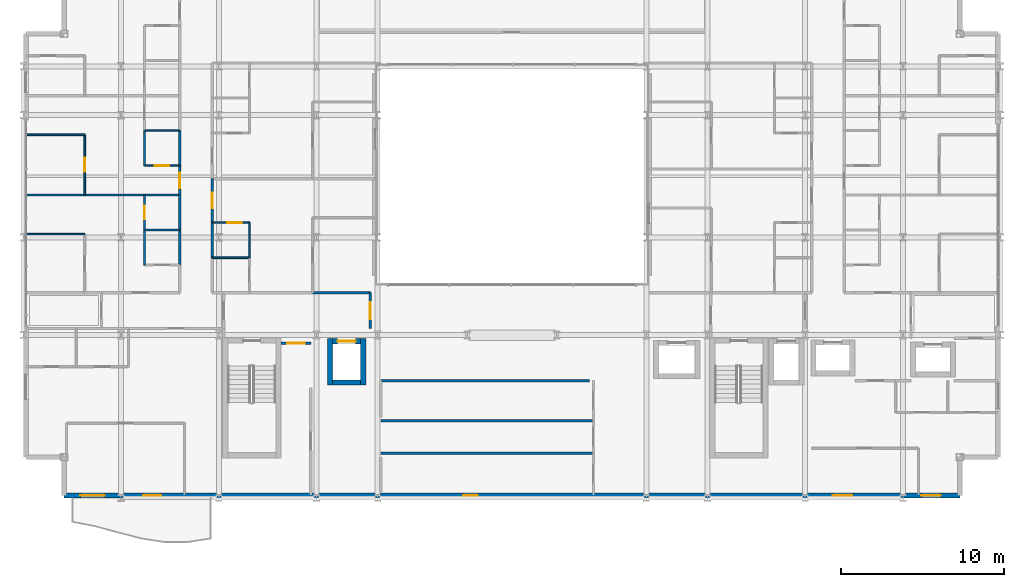
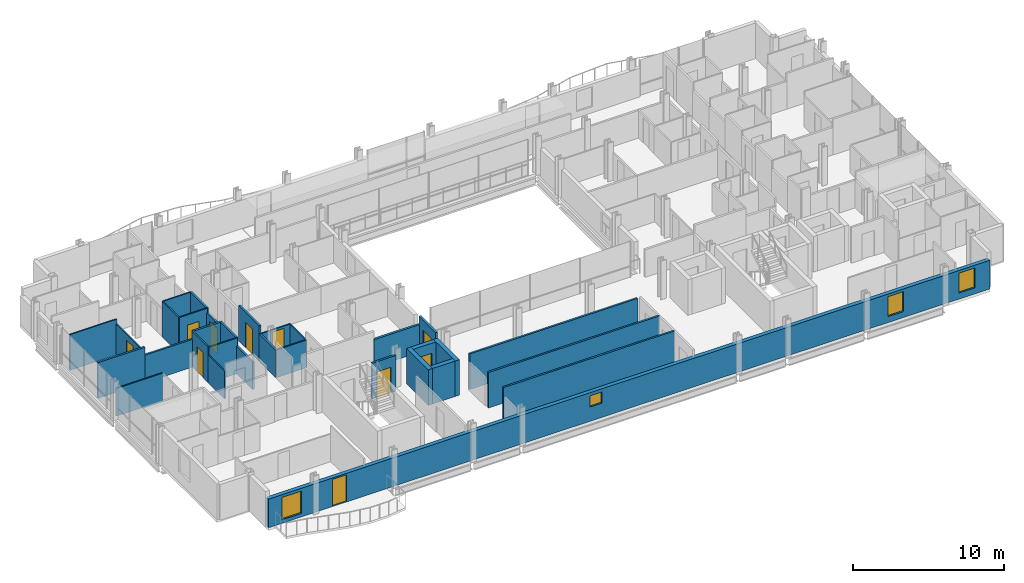
# One storey, part 32 of 40: 32 walls, 10 doors, 4 windows, 14 openings.
"""IFC4 building model written with IfcOpenShell, lengths in metres."""

from ifc_helpers import new_model, si_unit, direction, frame, frame_2d, origin, place, context, subcontext, project, spatial, rectangle, extrude, material, layer, layer_set, type_object, element, fill, save


model = new_model("IFC4")

# Units and contexts
model_context = context("Model", 3, precision=1e-05, world=origin(), true_north=direction((0.0, 1.0)))
body_context = subcontext(model_context, "Body", "Model", "MODEL_VIEW")
ifc_project = project(units=[si_unit("LENGTHUNIT", "METRE"), si_unit("AREAUNIT", "SQUARE_METRE"), si_unit("VOLUMEUNIT", "CUBIC_METRE"), si_unit("PLANEANGLEUNIT", "RADIAN"), si_unit("MASSUNIT", "GRAM", prefix="KILO")], contexts=[model_context])

# Site, building, storey
site_placement = place(None, origin())
site = spatial("IfcSite", under=ifc_project, at=site_placement, CompositionType="ELEMENT")
building_placement = place(site_placement, origin())
building = spatial("IfcBuilding", under=site, at=building_placement, Name="Brevholm Reach", CompositionType="ELEMENT")
storey_placement = place(building_placement, frame((0.0, 0.0, 37.300048828125)))
storey = spatial("IfcBuildingStorey", under=building, at=storey_placement, Name="L09", CompositionType="ELEMENT", Elevation=37.300048828125)

# Walls
ifc_material_1 = material(Name="Concrete C60/75", Category="concrete")
ifc_layer_1 = layer(ifc_material_1, 0.320068359375)
ifc_layer_set_1 = layer_set([ifc_layer_1], Name="Concrete C60/75")
wall_type_1 = type_object("IfcWallType", Name="WAL-COR-320", PredefinedType="SHEAR", material=ifc_layer_set_1)
for number, where, z_axis, x_axis, name in (
    (1, (18.830078125, 6.919921875, 0.0), (0.0, 0.0, 1.0), (0.0, 1.0, 0.0), "L09 Lift FFL-1 Shaft Wall W"),
    (2, (20.8701171875, 6.919921875, 0.0), (0.0, 0.0, 1.0), (0.0, 1.0, 0.0), "L09 Lift FFL-1 Shaft Wall E"),
):
    element("IfcWall", number, at=place(storey_placement, frame(where, z_axis=z_axis, x_axis=x_axis)), inside=storey, type_object=wall_type_1, Name=name, PredefinedType="SHEAR", context=body_context, shape_type="SweptSolid", body=[
        extrude(rectangle(XDim=2.860107421875, YDim=0.320068359375, at=frame_2d((1.43017578125, 0.0))), origin(), (0.0, 0.0, 1.0), 2.869873046875),
    ])
wall_1_placement = place(storey_placement, frame((18.989990234375, 7.080078125, 0.0), z_axis=(0.0, 0.0, 1.0), x_axis=(1.0, 0.0, 0.0)))
element("IfcWall", 3, at=wall_1_placement, inside=storey, type_object=wall_type_1, Name="L09 Lift FFL-1 Shaft Wall S", PredefinedType="SHEAR", context=body_context, shape_type="SweptSolid", body=[
    extrude(rectangle(XDim=1.719970703125, YDim=0.320068359375, at=frame_2d((0.85986328125, 0.0))), origin(), (0.0, 0.0, 1.0), 2.869873046875),
])

# Wall, opening, door
wall_2_placement = place(storey_placement, frame((18.989990234375, 9.6201171875, 0.0), z_axis=(0.0, 0.0, 1.0), x_axis=(1.0, 0.0, 0.0)))
wall_2 = element("IfcWall", 4, at=wall_2_placement, inside=storey, type_object=wall_type_1, Name="L09 Lift FFL-1 Shaft Wall N", PredefinedType="SHEAR", context=body_context, shape_type="SweptSolid", body=[
    extrude(rectangle(XDim=1.719970703125, YDim=0.320068359375, at=frame_2d((0.85986328125, 0.0))), origin(), (0.0, 0.0, 1.0), 2.869873046875),
])
opening_1_placement = place(wall_2_placement, frame((0.31005859375, 0.0, 0.0)))
opening_1 = element("IfcOpeningElement", 5, at=opening_1_placement, cuts=wall_2, Name="Opening LD-FFL-1", PredefinedType="OPENING", context=body_context, shape_type="SweptSolid", body=[
    extrude(rectangle(XDim=1.10009765625, YDim=2.06005859375, at=frame_2d((0.550048828125, 1.030029296875))), frame((0.0, 0.169921875, 0.0), z_axis=(0.0, -1.0, 0.0), x_axis=(1.0, 0.0, 0.0)), (0.0, 0.0, 1.0), 0.340087890625),
])
ifc_material_2 = material(Name="Brushed Stainless Steel Fire-Rated Sliding Lift Door", Category="steel")
door_type_1 = type_object("IfcDoorType", Name="DOR-LFT-1100", OperationType="NOTDEFINED", PredefinedType="DOOR", material=ifc_material_2)
door_1_placement = place(opening_1_placement, origin())
door_1 = element("IfcDoor", 6, at=door_1_placement, inside=storey, type_object=door_type_1, Name="L09 Lift FFL-1 Sliding Landing Door", OperationType="SLIDING_TO_LEFT", OverallHeight=2.06005859375, OverallWidth=1.10009765625, PredefinedType="DOOR", context=body_context, shape_type="SweptSolid", body=[
    extrude(rectangle(XDim=1.10009765625, YDim=2.06005859375, at=frame_2d((0.550048828125, 1.030029296875))), frame((0.0, 0.02490234375, 0.0), z_axis=(0.0, -1.0, 0.0), x_axis=(1.0, 0.0, 0.0)), (0.0, 0.0, 1.0), 0.050048828125),
])
fill(opening_1, door_1)

# Wall, openings, door, windows
ifc_material_3 = material(Name="Concrete C40/50", Category="concrete")
ifc_layer_2 = layer(ifc_material_3, 0.300048828125)
ifc_layer_set_2 = layer_set([ifc_layer_2], Name="Concrete C40/50")
wall_type_2 = type_object("IfcWallType", Name="WAL-EXT-300", PredefinedType="STANDARD", material=ifc_layer_set_2)
wall_3_placement = place(storey_placement, frame((2.5, 0.14990234375, 0.0), z_axis=(0.0, 0.0, 1.0), x_axis=(1.0, 0.0, 0.0)))
wall_3 = element("IfcWall", 7, at=wall_3_placement, inside=storey, type_object=wall_type_2, Name="L09 Facade Wall WAL-L09-S", PredefinedType="STANDARD", context=body_context, shape_type="SweptSolid", body=[
    extrude(rectangle(XDim=55.0, YDim=0.300048828125, at=frame_2d((27.5, 0.0))), origin(), (0.0, 0.0, 1.0), 2.305419921875),
])
opening_2_placement = place(wall_3_placement, frame((4.85009765625, 0.0, 0.0)))
opening_2 = element("IfcOpeningElement", 8, at=opening_2_placement, cuts=wall_3, Name="Opening BD-01", PredefinedType="OPENING", context=body_context, shape_type="SweptSolid", body=[
    extrude(rectangle(XDim=1.10009765625, YDim=2.199951171875, at=frame_2d((0.550048828125, 1.10009765625))), frame((0.0, 0.159912109375, 0.0), z_axis=(0.0, -1.0, 0.0), x_axis=(1.0, 0.0, 0.0)), (0.0, 0.0, 1.0), 0.320068359375),
])
opening_3_placement = place(wall_3_placement, frame((1.0, 0.0, 0.285888671875)))
opening_3 = element("IfcOpeningElement", 9, at=opening_3_placement, cuts=wall_3, Name="Opening WN-05", PredefinedType="OPENING", context=body_context, shape_type="SweptSolid", body=[
    extrude(rectangle(XDim=1.5, YDim=1.800048828125, at=frame_2d((0.75, 0.89990234375))), frame((0.0, 0.159912109375, 0.0), z_axis=(0.0, -1.0, 0.0), x_axis=(1.0, 0.0, 0.0)), (0.0, 0.0, 1.0), 0.320068359375),
])
opening_4_placement = place(wall_3_placement, frame((24.5, 0.0, 1.14990234375)))
opening_4 = element("IfcOpeningElement", 10, at=opening_4_placement, cuts=wall_3, Name="Opening WN-09", PredefinedType="OPENING", context=body_context, shape_type="SweptSolid", body=[
    extrude(rectangle(XDim=0.89990234375, YDim=0.89990234375, at=frame_2d((0.449951171875, 0.449951171875))), frame((0.0, 0.159912109375, 0.0), z_axis=(0.0, -1.0, 0.0), x_axis=(1.0, 0.0, 0.0)), (0.0, 0.0, 1.0), 0.320068359375),
])
opening_5_placement = place(wall_3_placement, frame((47.199951171875, 0.0, 0.486083984375)))
opening_5 = element("IfcOpeningElement", 11, at=opening_5_placement, cuts=wall_3, Name="Opening WN-08", PredefinedType="OPENING", context=body_context, shape_type="SweptSolid", body=[
    extrude(rectangle(XDim=1.199951171875, YDim=1.60009765625, at=frame_2d((0.60009765625, 0.800048828125))), frame((0.0, 0.159912109375, 0.0), z_axis=(0.0, -1.0, 0.0), x_axis=(1.0, 0.0, 0.0)), (0.0, 0.0, 1.0), 0.320068359375),
])
opening_6_placement = place(wall_3_placement, frame((52.6298828125, 0.0, 0.486083984375)))
opening_6 = element("IfcOpeningElement", 12, at=opening_6_placement, cuts=wall_3, Name="Opening WN-08", PredefinedType="OPENING", context=body_context, shape_type="SweptSolid", body=[
    extrude(rectangle(XDim=1.199951171875, YDim=1.60009765625, at=frame_2d((0.60009765625, 0.800048828125))), frame((0.0, 0.159912109375, 0.0), z_axis=(0.0, -1.0, 0.0), x_axis=(1.0, 0.0, 0.0)), (0.0, 0.0, 1.0), 0.320068359375),
])
ifc_material_4 = material(Name="Dark Anodised Aluminium and Triple-Glazed Glass", Category="aluminium")
door_type_2 = type_object("IfcDoorType", Name="DOR-BALC-1100", OperationType="NOTDEFINED", PredefinedType="DOOR", material=ifc_material_4)
door_2_placement = place(opening_2_placement, origin())
door_2 = element("IfcDoor", 13, at=door_2_placement, inside=storey, type_object=door_type_2, Name="L09 Exterior Door DOR-L09-BL-SW", OperationType="SINGLE_SWING_LEFT", OverallHeight=2.199951171875, OverallWidth=1.10009765625, PredefinedType="DOOR", context=body_context, shape_type="SweptSolid", body=[
    extrude(rectangle(XDim=1.10009765625, YDim=2.199951171875, at=frame_2d((0.550048828125, 1.10009765625))), frame((0.0, 0.02490234375, 0.0), z_axis=(0.0, -1.0, 0.0), x_axis=(1.0, 0.0, 0.0)), (0.0, 0.0, 1.0), 0.050048828125),
])
fill(opening_2, door_2)
ifc_material_5 = material(Name="Dark Anodised Aluminium and Solar-Control IGU Glass", Category="aluminium")
window_type_1 = type_object("IfcWindowType", Name="WIN-POR-0900", PartitioningType="SINGLE_PANEL", PredefinedType="WINDOW", material=ifc_material_5)
window_1_placement = place(opening_4_placement, origin())
window_1 = element("IfcWindow", 14, at=window_1_placement, inside=storey, type_object=window_type_1, Name="L09 Window WIN-L09-S-POR", OverallHeight=0.89990234375, OverallWidth=0.89990234375, PartitioningType="SINGLE_PANEL", PredefinedType="WINDOW", context=body_context, shape_type="SweptSolid", body=[
    extrude(rectangle(XDim=0.89990234375, YDim=0.89990234375, at=frame_2d((0.449951171875, 0.449951171875))), frame((0.0, 0.030029296875, 0.0), z_axis=(0.0, -1.0, 0.0), x_axis=(1.0, 0.0, 0.0)), (0.0, 0.0, 1.0), 0.06005859375),
])
fill(opening_4, window_1)
ifc_material_6 = material(Name="Dark Anodised Aluminium and Solar-Control IGU Glass", Category="aluminium")
window_type_2 = type_object("IfcWindowType", Name="WIN-RES-1200", PartitioningType="SINGLE_PANEL", PredefinedType="WINDOW", material=ifc_material_6)
window_2_placement = place(opening_5_placement, origin())
window_2 = element("IfcWindow", 15, at=window_2_placement, inside=storey, type_object=window_type_2, Name="L09 Window WIN-L09-S-E1", OverallHeight=1.60009765625, OverallWidth=1.199951171875, PartitioningType="SINGLE_PANEL", PredefinedType="WINDOW", context=body_context, shape_type="SweptSolid", body=[
    extrude(rectangle(XDim=1.199951171875, YDim=1.60009765625, at=frame_2d((0.60009765625, 0.800048828125))), frame((0.0, 0.030029296875, 0.0), z_axis=(0.0, -1.0, 0.0), x_axis=(1.0, 0.0, 0.0)), (0.0, 0.0, 1.0), 0.06005859375),
])
fill(opening_5, window_2)
window_3_placement = place(opening_6_placement, origin())
window_3 = element("IfcWindow", 16, at=window_3_placement, inside=storey, type_object=window_type_2, Name="L09 Window WIN-L09-S-E2", OverallHeight=1.60009765625, OverallWidth=1.199951171875, PartitioningType="SINGLE_PANEL", PredefinedType="WINDOW", context=body_context, shape_type="SweptSolid", body=[
    extrude(rectangle(XDim=1.199951171875, YDim=1.60009765625, at=frame_2d((0.60009765625, 0.800048828125))), frame((0.0, 0.030029296875, 0.0), z_axis=(0.0, -1.0, 0.0), x_axis=(1.0, 0.0, 0.0)), (0.0, 0.0, 1.0), 0.06005859375),
])
fill(opening_6, window_3)
ifc_material_7 = material(Name="Dark Anodised Aluminium and Solar-Control IGU Glass", Category="aluminium")
window_type_3 = type_object("IfcWindowType", Name="WIN-RES-1500", PartitioningType="SINGLE_PANEL", PredefinedType="WINDOW", material=ifc_material_7)
window_4_placement = place(opening_3_placement, origin())
window_4 = element("IfcWindow", 17, at=window_4_placement, inside=storey, type_object=window_type_3, Name="L09 Window WIN-L09-S-W1", OverallHeight=1.800048828125, OverallWidth=1.5, PartitioningType="SINGLE_PANEL", PredefinedType="WINDOW", context=body_context, shape_type="SweptSolid", body=[
    extrude(rectangle(XDim=1.5, YDim=1.800048828125, at=frame_2d((0.75, 0.89990234375))), frame((0.0, 0.030029296875, 0.0), z_axis=(0.0, -1.0, 0.0), x_axis=(1.0, 0.0, 0.0)), (0.0, 0.0, 1.0), 0.06005859375),
])
fill(opening_3, window_4)

# Wall
ifc_material_8 = material(Name="Moisture-Resistant Acoustic Gypsum Stud Partition 100 mm", Category="gypsum")
ifc_layer_3 = layer(ifc_material_8, 0.10009765625)
ifc_layer_set_3 = layer_set([ifc_layer_3], Name="Moisture-Resistant Acoustic Gypsum Stud Partition 100 mm")
wall_type_3 = type_object("IfcWallType", Name="WAL-PRT-100", PredefinedType="PARTITIONING", material=ifc_layer_set_3)
wall_4_placement = place(storey_placement, frame((7.43798828125, 16.449951171875, 0.0), z_axis=(0.0, 0.0, 1.0), x_axis=(1.0, 0.0, 0.0)))
element("IfcWall", 18, at=wall_4_placement, inside=storey, type_object=wall_type_3, Name="L09 Internal Partition 086", PredefinedType="PARTITIONING", context=body_context, shape_type="SweptSolid", body=[
    extrude(rectangle(XDim=2.157958984375, YDim=0.10009765625, at=frame_2d((1.0791015625, 0.0))), origin(), (0.0, 0.0, 1.0), 2.869873046875),
])

# Wall, opening, door
wall_5_placement = place(storey_placement, frame((7.43798828125, 16.449951171875, 0.0), z_axis=(0.0, 0.0, 1.0), x_axis=(0.0, 1.0, 0.0)))
wall_5 = element("IfcWall", 19, at=wall_5_placement, inside=storey, type_object=wall_type_3, Name="L09 Internal Partition 087", PredefinedType="PARTITIONING", context=body_context, shape_type="SweptSolid", body=[
    extrude(rectangle(XDim=2.150146484375, YDim=0.10009765625, at=frame_2d((1.0751953125, 0.0))), origin(), (0.0, 0.0, 1.0), 2.869873046875),
])
opening_7_placement = place(wall_5_placement, frame((0.6650390625, 0.0, 0.0)))
opening_7 = element("IfcOpeningElement", 20, at=opening_7_placement, cuts=wall_5, Name="Opening ID-03", PredefinedType="OPENING", context=body_context, shape_type="SweptSolid", body=[
    extrude(rectangle(XDim=0.820068359375, YDim=2.02001953125, at=frame_2d((0.41015625, 1.010009765625))), frame((0.0, 0.06005859375, 0.0), z_axis=(0.0, -1.0, 0.0), x_axis=(1.0, 0.0, 0.0)), (0.0, 0.0, 1.0), 0.1201171875),
])
ifc_material_9 = material(Name="Moisture-Resistant Painted Timber Internal Bathroom Door", Category="wood")
door_type_3 = type_object("IfcDoorType", Name="DOR-BATH-820", OperationType="NOTDEFINED", PredefinedType="DOOR", material=ifc_material_9)
door_3_placement = place(opening_7_placement, origin())
door_3 = element("IfcDoor", 21, at=door_3_placement, inside=storey, type_object=door_type_3, Name="L09 Internal Door 031", OperationType="SINGLE_SWING_RIGHT", OverallHeight=2.02001953125, OverallWidth=0.820068359375, PredefinedType="DOOR", context=body_context, shape_type="SweptSolid", body=[
    extrude(rectangle(XDim=0.820068359375, YDim=2.02001953125, at=frame_2d((0.41015625, 1.010009765625))), frame((0.0, 0.02490234375, 0.0), z_axis=(0.0, -1.0, 0.0), x_axis=(1.0, 0.0, 0.0)), (0.0, 0.0, 1.0), 0.050048828125),
])
fill(opening_7, door_3)

# Walls
wall_6_placement = place(storey_placement, frame((7.43798828125, 14.300048828125, 0.0), z_axis=(0.0, 0.0, 1.0), x_axis=(0.0, 1.0, 0.0)))
element("IfcWall", 22, at=wall_6_placement, inside=storey, type_object=wall_type_3, Name="L09 Internal Partition 090", PredefinedType="PARTITIONING", context=body_context, shape_type="SweptSolid", body=[
    extrude(rectangle(XDim=2.14599609375, YDim=0.10009765625, at=frame_2d((1.072998046875, 0.0))), origin(), (0.0, 0.0, 1.0), 2.224853515625),
])
wall_7_placement = place(storey_placement, frame((0.199951171875, 16.199951171875, 0.0), z_axis=(0.0, 0.0, 1.0), x_axis=(1.0, 0.0, 0.0)))
element("IfcWall", 23, at=wall_7_placement, inside=storey, type_object=wall_type_3, Name="L09 Internal Partition 092", PredefinedType="PARTITIONING", context=body_context, shape_type="SweptSolid", body=[
    extrude(rectangle(XDim=3.572021484375, YDim=0.10009765625, at=frame_2d((1.7861328125, 0.0))), origin(), (0.0, 0.0, 1.0), 2.224853515625),
])
wall_8_placement = place(storey_placement, frame((7.43798828125, 22.550048828125, 0.0), z_axis=(0.0, 0.0, 1.0), x_axis=(1.0, 0.0, 0.0)))
element("IfcWall", 24, at=wall_8_placement, inside=storey, type_object=wall_type_3, Name="L09 Internal Partition 095", PredefinedType="PARTITIONING", context=body_context, shape_type="SweptSolid", body=[
    extrude(rectangle(XDim=2.157958984375, YDim=0.10009765625, at=frame_2d((1.0791015625, 0.0))), origin(), (0.0, 0.0, 1.0), 2.869873046875),
])

# Wall, opening, door
wall_9_placement = place(storey_placement, frame((7.43798828125, 20.39990234375, 0.0), z_axis=(0.0, 0.0, 1.0), x_axis=(1.0, 0.0, 0.0)))
wall_9 = element("IfcWall", 25, at=wall_9_placement, inside=storey, type_object=wall_type_3, Name="L09 Internal Partition 098", PredefinedType="PARTITIONING", context=body_context, shape_type="SweptSolid", body=[
    extrude(rectangle(XDim=2.157958984375, YDim=0.10009765625, at=frame_2d((1.0791015625, 0.0))), origin(), (0.0, 0.0, 1.0), 2.869873046875),
])
opening_8_placement = place(wall_9_placement, frame((0.638916015625, 0.0, 0.0)))
opening_8 = element("IfcOpeningElement", 26, at=opening_8_placement, cuts=wall_9, Name="Opening ID-01", PredefinedType="OPENING", context=body_context, shape_type="SweptSolid", body=[
    extrude(rectangle(XDim=0.8798828125, YDim=2.0400390625, at=frame_2d((0.43994140625, 1.02001953125))), frame((0.0, 0.06005859375, 0.0), z_axis=(0.0, -1.0, 0.0), x_axis=(1.0, 0.0, 0.0)), (0.0, 0.0, 1.0), 0.1201171875),
])
ifc_material_10 = material(Name="Lacquered Ash Solid-Core Acoustic Internal Door", Category="timber")
door_type_4 = type_object("IfcDoorType", Name="DOR-INT-880", OperationType="NOTDEFINED", PredefinedType="DOOR", material=ifc_material_10)
door_4_placement = place(opening_8_placement, origin())
door_4 = element("IfcDoor", 27, at=door_4_placement, inside=storey, type_object=door_type_4, Name="L09 Internal Door 035", OperationType="SINGLE_SWING_RIGHT", OverallHeight=2.0400390625, OverallWidth=0.8798828125, PredefinedType="DOOR", context=body_context, shape_type="SweptSolid", body=[
    extrude(rectangle(XDim=0.8798828125, YDim=2.0400390625, at=frame_2d((0.43994140625, 1.02001953125))), frame((0.0, 0.02490234375, 0.0), z_axis=(0.0, -1.0, 0.0), x_axis=(1.0, 0.0, 0.0)), (0.0, 0.0, 1.0), 0.050048828125),
])
fill(opening_8, door_4)

# Wall
wall_10_placement = place(storey_placement, frame((7.43798828125, 20.39990234375, 0.0), z_axis=(0.0, 0.0, 1.0), x_axis=(0.0, 1.0, 0.0)))
element("IfcWall", 28, at=wall_10_placement, inside=storey, type_object=wall_type_3, Name="L09 Internal Partition 099", PredefinedType="PARTITIONING", context=body_context, shape_type="SweptSolid", body=[
    extrude(rectangle(XDim=2.14599609375, YDim=0.10009765625, at=frame_2d((1.072998046875, 0.0))), origin(), (0.0, 0.0, 1.0), 2.869873046875),
])

# Wall, opening, door
wall_11_placement = place(storey_placement, frame((3.77197265625, 18.60400390625, 0.0), z_axis=(0.0, 0.0, 1.0), x_axis=(0.0, 1.0, 0.0)))
wall_11 = element("IfcWall", 29, at=wall_11_placement, inside=storey, type_object=wall_type_3, Name="L09 Internal Partition 100", PredefinedType="PARTITIONING", context=body_context, shape_type="SweptSolid", body=[
    extrude(rectangle(XDim=3.696044921875, YDim=0.10009765625, at=frame_2d((1.84814453125, 0.0))), origin(), (0.0, 0.0, 1.0), 2.489990234375),
])
opening_9_placement = place(wall_11_placement, frame((1.407958984375, 0.0, 0.0)))
opening_9 = element("IfcOpeningElement", 30, at=opening_9_placement, cuts=wall_11, Name="Opening ID-01", PredefinedType="OPENING", context=body_context, shape_type="SweptSolid", body=[
    extrude(rectangle(XDim=0.8798828125, YDim=2.0400390625, at=frame_2d((0.43994140625, 1.02001953125))), frame((0.0, 0.06005859375, 0.0), z_axis=(0.0, -1.0, 0.0), x_axis=(1.0, 0.0, 0.0)), (0.0, 0.0, 1.0), 0.1201171875),
])
door_5_placement = place(opening_9_placement, origin())
door_5 = element("IfcDoor", 31, at=door_5_placement, inside=storey, type_object=door_type_4, Name="L09 Internal Door 036", OperationType="SINGLE_SWING_LEFT", OverallHeight=2.0400390625, OverallWidth=0.8798828125, PredefinedType="DOOR", context=body_context, shape_type="SweptSolid", body=[
    extrude(rectangle(XDim=0.8798828125, YDim=2.0400390625, at=frame_2d((0.43994140625, 1.02001953125))), frame((0.0, 0.02490234375, 0.0), z_axis=(0.0, -1.0, 0.0), x_axis=(1.0, 0.0, 0.0)), (0.0, 0.0, 1.0), 0.050048828125),
])
fill(opening_9, door_5)

# Walls
wall_12_placement = place(storey_placement, frame((0.199951171875, 22.300048828125, 0.0), z_axis=(0.0, 0.0, 1.0), x_axis=(1.0, 0.0, 0.0)))
element("IfcWall", 32, at=wall_12_placement, inside=storey, type_object=wall_type_3, Name="L09 Internal Partition 101", PredefinedType="PARTITIONING", context=body_context, shape_type="SweptSolid", body=[
    extrude(rectangle(XDim=3.572021484375, YDim=0.10009765625, at=frame_2d((1.7861328125, 0.0))), origin(), (0.0, 0.0, 1.0), 2.869873046875),
])
wall_13_placement = place(storey_placement, frame((11.60400390625, 14.75, 0.0), z_axis=(0.0, 0.0, 1.0), x_axis=(1.0, 0.0, 0.0)))
element("IfcWall", 33, at=wall_13_placement, inside=storey, type_object=wall_type_3, Name="L09 Internal Partition 110", PredefinedType="PARTITIONING", context=body_context, shape_type="SweptSolid", body=[
    extrude(rectangle(XDim=2.284912109375, YDim=0.10009765625, at=frame_2d((1.142578125, 0.0))), origin(), (0.0, 0.0, 1.0), 2.224853515625),
])
wall_14_placement = place(storey_placement, frame((13.888916015625, 14.75390625, 0.0), z_axis=(0.0, 0.0, 1.0), x_axis=(0.0, 1.0, 0.0)))
element("IfcWall", 34, at=wall_14_placement, inside=storey, type_object=wall_type_3, Name="L09 Internal Partition 112", PredefinedType="PARTITIONING", context=body_context, shape_type="SweptSolid", body=[
    extrude(rectangle(XDim=2.14599609375, YDim=0.10009765625, at=frame_2d((1.072998046875, 0.0))), origin(), (0.0, 0.0, 1.0), 2.224853515625),
])

# Wall, opening, door
wall_15_placement = place(storey_placement, frame((11.60400390625, 16.89990234375, 0.0), z_axis=(0.0, 0.0, 1.0), x_axis=(1.0, 0.0, 0.0)))
wall_15 = element("IfcWall", 35, at=wall_15_placement, inside=storey, type_object=wall_type_3, Name="L09 Internal Partition 113", PredefinedType="PARTITIONING", context=body_context, shape_type="SweptSolid", body=[
    extrude(rectangle(XDim=2.284912109375, YDim=0.10009765625, at=frame_2d((1.142578125, 0.0))), origin(), (0.0, 0.0, 1.0), 2.224853515625),
])
opening_10_placement = place(wall_15_placement, frame((0.922607421875, 0.0, 0.0)))
opening_10 = element("IfcOpeningElement", 36, at=opening_10_placement, cuts=wall_15, Name="Opening ID-01", PredefinedType="OPENING", context=body_context, shape_type="SweptSolid", body=[
    extrude(rectangle(XDim=0.8798828125, YDim=2.0400390625, at=frame_2d((0.43994140625, 1.02001953125))), frame((0.0, 0.06005859375, 0.0), z_axis=(0.0, -1.0, 0.0), x_axis=(1.0, 0.0, 0.0)), (0.0, 0.0, 1.0), 0.1201171875),
])
door_6_placement = place(opening_10_placement, origin())
door_6 = element("IfcDoor", 37, at=door_6_placement, inside=storey, type_object=door_type_4, Name="L09 Internal Door 041", OperationType="SINGLE_SWING_RIGHT", OverallHeight=2.0400390625, OverallWidth=0.8798828125, PredefinedType="DOOR", context=body_context, shape_type="SweptSolid", body=[
    extrude(rectangle(XDim=0.8798828125, YDim=2.0400390625, at=frame_2d((0.43994140625, 1.02001953125))), frame((0.0, 0.02490234375, 0.0), z_axis=(0.0, -1.0, 0.0), x_axis=(1.0, 0.0, 0.0)), (0.0, 0.0, 1.0), 0.050048828125),
])
fill(opening_10, door_6)

# Walls
ifc_material_11 = material(Name="Twin-Stud Acoustic Fire-Rated Gypsum Partition 140 mm", Category="gypsum")
ifc_layer_4 = layer(ifc_material_11, 0.139892578125)
ifc_layer_set_4 = layer_set([ifc_layer_4], Name="Twin-Stud Acoustic Fire-Rated Gypsum Partition 140 mm")
wall_type_4 = type_object("IfcWallType", Name="WAL-PRT-140", PredefinedType="PARTITIONING", material=ifc_layer_set_4)
for number, where, z_axis, x_axis, name in (
    (38, (21.949951171875, 2.737060546875, 0.0), (0.0, 0.0, 1.0), (1.0, 0.0, 0.0), "L09 Internal Partition 004"),
    (39, (21.949951171875, 4.740966796875, 0.0), (0.0, 0.0, 1.0), (1.0, 0.0, 0.0), "L09 Internal Partition 005"),
):
    element("IfcWall", number, at=place(storey_placement, frame(where, z_axis=z_axis, x_axis=x_axis)), inside=storey, type_object=wall_type_4, Name=name, PredefinedType="PARTITIONING", context=body_context, shape_type="SweptSolid", body=[
        extrude(rectangle(XDim=13.046142578125, YDim=0.139892578125, at=frame_2d((6.52294921875, 0.0))), origin(), (0.0, 0.0, 1.0), 2.869873046875),
    ])
wall_16_placement = place(storey_placement, frame((9.60009765625, 16.438720703125, 0.0), z_axis=(0.0, 0.0, 1.0), x_axis=(0.0, 1.0, 0.0)))
element("IfcWall", 40, at=wall_16_placement, inside=storey, type_object=wall_type_4, Name="L09 Internal Partition 030", PredefinedType="PARTITIONING", context=body_context, shape_type="SweptSolid", body=[
    extrude(rectangle(XDim=2.172607421875, YDim=0.139892578125, at=frame_2d((1.08642578125, 0.0))), origin(), (0.0, 0.0, 1.0), 2.869873046875),
])
wall_17_placement = place(storey_placement, frame((9.60009765625, 14.288818359375, 0.0), z_axis=(0.0, 0.0, 1.0), x_axis=(0.0, 1.0, 0.0)))
element("IfcWall", 41, at=wall_17_placement, inside=storey, type_object=wall_type_4, Name="L09 Internal Partition 031", PredefinedType="PARTITIONING", context=body_context, shape_type="SweptSolid", body=[
    extrude(rectangle(XDim=2.16845703125, YDim=0.139892578125, at=frame_2d((1.084228515625, 0.0))), origin(), (0.0, 0.0, 1.0), 2.224853515625),
])
wall_18_placement = place(storey_placement, frame((9.60009765625, 20.388671875, 0.0), z_axis=(0.0, 0.0, 1.0), x_axis=(0.0, 1.0, 0.0)))
element("IfcWall", 42, at=wall_18_placement, inside=storey, type_object=wall_type_4, Name="L09 Internal Partition 034", PredefinedType="PARTITIONING", context=body_context, shape_type="SweptSolid", body=[
    extrude(rectangle(XDim=2.168701171875, YDim=0.139892578125, at=frame_2d((1.08447265625, 0.0))), origin(), (0.0, 0.0, 1.0), 2.869873046875),
])

# Wall, opening, door
wall_19_placement = place(storey_placement, frame((9.60009765625, 18.5927734375, 0.0), z_axis=(0.0, 0.0, 1.0), x_axis=(0.0, 1.0, 0.0)))
wall_19 = element("IfcWall", 43, at=wall_19_placement, inside=storey, type_object=wall_type_4, Name="L09 Internal Partition 035", PredefinedType="PARTITIONING", context=body_context, shape_type="SweptSolid", body=[
    extrude(rectangle(XDim=1.814453125, YDim=0.139892578125, at=frame_2d((0.9072265625, 0.0))), origin(), (0.0, 0.0, 1.0), 2.489990234375),
])
opening_11_placement = place(wall_19_placement, frame((0.432373046875, 0.0, 0.0)))
opening_11 = element("IfcOpeningElement", 44, at=opening_11_placement, cuts=wall_19, Name="Opening ID-30", PredefinedType="OPENING", context=body_context, shape_type="SweptSolid", body=[
    extrude(rectangle(XDim=0.949951171875, YDim=2.050048828125, at=frame_2d((0.47509765625, 1.02490234375))), frame((0.0, 0.079833984375, 0.0), z_axis=(0.0, -1.0, 0.0), x_axis=(1.0, 0.0, 0.0)), (0.0, 0.0, 1.0), 0.159912109375),
])
ifc_material_12 = material(Name="European Oak Veneered Solid-Core Fire Entrance Door", Category="timber")
door_type_5 = type_object("IfcDoorType", Name="DOR-FLT-FD30S", OperationType="NOTDEFINED", PredefinedType="DOOR", material=ifc_material_12)
door_7_placement = place(opening_11_placement, origin())
door_7 = element("IfcDoor", 45, at=door_7_placement, inside=storey, type_object=door_type_5, Name="L09 Internal Door 016", OperationType="SINGLE_SWING_LEFT", OverallHeight=2.050048828125, OverallWidth=0.949951171875, PredefinedType="DOOR", context=body_context, shape_type="SweptSolid", body=[
    extrude(rectangle(XDim=0.949951171875, YDim=2.050048828125, at=frame_2d((0.47509765625, 1.02490234375))), frame((0.0, 0.02490234375, 0.0), z_axis=(0.0, -1.0, 0.0), x_axis=(1.0, 0.0, 0.0)), (0.0, 0.0, 1.0), 0.050048828125),
])
fill(opening_11, door_7)

# Wall
wall_20_placement = place(storey_placement, frame((11.60009765625, 14.74267578125, 0.0), z_axis=(0.0, 0.0, 1.0), x_axis=(0.0, 1.0, 0.0)))
element("IfcWall", 46, at=wall_20_placement, inside=storey, type_object=wall_type_4, Name="L09 Internal Partition 040", PredefinedType="PARTITIONING", context=body_context, shape_type="SweptSolid", body=[
    extrude(rectangle(XDim=2.168701171875, YDim=0.139892578125, at=frame_2d((1.08447265625, 0.0))), origin(), (0.0, 0.0, 1.0), 2.224853515625),
])

# Wall, opening, door
wall_21_placement = place(storey_placement, frame((11.60009765625, 16.892578125, 0.0), z_axis=(0.0, 0.0, 1.0), x_axis=(0.0, 1.0, 0.0)))
wall_21 = element("IfcWall", 47, at=wall_21_placement, inside=storey, type_object=wall_type_4, Name="L09 Internal Partition 041", PredefinedType="PARTITIONING", context=body_context, shape_type="SweptSolid", body=[
    extrude(rectangle(XDim=2.71875, YDim=0.139892578125, at=frame_2d((1.359375, 0.0))), origin(), (0.0, 0.0, 1.0), 2.869873046875),
])
opening_12_placement = place(wall_21_placement, frame((0.88427734375, 0.0, 0.0)))
opening_12 = element("IfcOpeningElement", 48, at=opening_12_placement, cuts=wall_21, Name="Opening ID-30", PredefinedType="OPENING", context=body_context, shape_type="SweptSolid", body=[
    extrude(rectangle(XDim=0.949951171875, YDim=2.050048828125, at=frame_2d((0.47509765625, 1.02490234375))), frame((0.0, 0.079833984375, 0.0), z_axis=(0.0, -1.0, 0.0), x_axis=(1.0, 0.0, 0.0)), (0.0, 0.0, 1.0), 0.159912109375),
])
door_8_placement = place(opening_12_placement, origin())
door_8 = element("IfcDoor", 49, at=door_8_placement, inside=storey, type_object=door_type_5, Name="L09 Internal Door 018", OperationType="SINGLE_SWING_LEFT", OverallHeight=2.050048828125, OverallWidth=0.949951171875, PredefinedType="DOOR", context=body_context, shape_type="SweptSolid", body=[
    extrude(rectangle(XDim=0.949951171875, YDim=2.050048828125, at=frame_2d((0.47509765625, 1.02490234375))), frame((0.0, 0.02490234375, 0.0), z_axis=(0.0, -1.0, 0.0), x_axis=(1.0, 0.0, 0.0)), (0.0, 0.0, 1.0), 0.050048828125),
])
fill(opening_12, door_8)

# Walls
wall_22_placement = place(storey_placement, frame((7.43798828125, 18.60009765625, 0.0), z_axis=(0.0, 0.0, 1.0), x_axis=(1.0, 0.0, 0.0)))
element("IfcWall", 50, at=wall_22_placement, inside=storey, type_object=wall_type_4, Name="L09 Internal Partition 088", PredefinedType="PARTITIONING", context=body_context, shape_type="SweptSolid", body=[
    extrude(rectangle(XDim=2.157958984375, YDim=0.139892578125, at=frame_2d((1.0791015625, 0.0))), origin(), (0.0, 0.0, 1.0), 2.869873046875),
])
wall_23_placement = place(storey_placement, frame((0.199951171875, 18.60009765625, 0.0), z_axis=(0.0, 0.0, 1.0), x_axis=(1.0, 0.0, 0.0)))
element("IfcWall", 51, at=wall_23_placement, inside=storey, type_object=wall_type_4, Name="L09 Internal Partition 093", PredefinedType="PARTITIONING", context=body_context, shape_type="SweptSolid", body=[
    extrude(rectangle(XDim=3.583251953125, YDim=0.139892578125, at=frame_2d((1.79150390625, 0.0))), origin(), (0.0, 0.0, 1.0), 2.869873046875),
])
wall_24_placement = place(storey_placement, frame((3.7646484375, 18.60009765625, 0.0), z_axis=(0.0, 0.0, 1.0), x_axis=(1.0, 0.0, 0.0)))
element("IfcWall", 52, at=wall_24_placement, inside=storey, type_object=wall_type_4, Name="L09 Internal Partition 094", PredefinedType="PARTITIONING", context=body_context, shape_type="SweptSolid", body=[
    extrude(rectangle(XDim=3.66943359375, YDim=0.139892578125, at=frame_2d((1.834716796875, 0.0))), origin(), (0.0, 0.0, 1.0), 2.224853515625),
])
wall_25_placement = place(storey_placement, frame((21.949951171875, 7.199951171875, 0.0), z_axis=(0.0, 0.0, 1.0), x_axis=(1.0, 0.0, 0.0)))
element("IfcWall", 53, at=wall_25_placement, inside=storey, type_object=wall_type_4, Name="L09 Internal Partition 163", PredefinedType="PARTITIONING", context=body_context, shape_type="SweptSolid", body=[
    extrude(rectangle(XDim=12.81005859375, YDim=0.139892578125, at=frame_2d((6.405029296875, 0.0))), origin(), (0.0, 0.0, 1.0), 2.869873046875),
])

# Wall, opening, door
ifc_material_13 = material(Name="Twin-Frame Fire-Rated Gypsum Board and Mineral Wool 160 mm", Category="gypsum")
ifc_layer_5 = layer(ifc_material_13, 0.159912109375)
ifc_layer_set_5 = layer_set([ifc_layer_5], Name="Twin-Frame Fire-Rated Gypsum Board and Mineral Wool 160 mm")
wall_type_5 = type_object("IfcWallType", Name="WAL-PRT-160", PredefinedType="PARTITIONING", material=ifc_layer_set_5)
wall_26_placement = place(storey_placement, frame((15.830078125, 9.5, 0.0), z_axis=(0.0, 0.0, 1.0), x_axis=(1.0, 0.0, 0.0)))
wall_26 = element("IfcWall", 54, at=wall_26_placement, inside=storey, type_object=wall_type_5, Name="L09 Internal Partition 007", PredefinedType="PARTITIONING", context=body_context, shape_type="SweptSolid", body=[
    extrude(rectangle(XDim=1.81982421875, YDim=0.159912109375, at=frame_2d((0.909912109375, 0.0))), origin(), (0.0, 0.0, 1.0), 2.869873046875),
])
opening_13_placement = place(wall_26_placement, frame((0.385009765625, 0.0, 0.0)))
opening_13 = element("IfcOpeningElement", 55, at=opening_13_placement, cuts=wall_26, Name="Opening FD-01", PredefinedType="OPENING", context=body_context, shape_type="SweptSolid", body=[
    extrude(rectangle(XDim=1.050048828125, YDim=2.06005859375, at=frame_2d((0.52490234375, 1.030029296875))), frame((0.0, 0.08984375, 0.0), z_axis=(0.0, -1.0, 0.0), x_axis=(1.0, 0.0, 0.0)), (0.0, 0.0, 1.0), 0.179931640625),
])
ifc_material_14 = material(Name="Hardwood-Lipped Steel-Core Fire and Smoke Door", Category="steel")
door_type_6 = type_object("IfcDoorType", Name="DOR-INT-FD60S", OperationType="NOTDEFINED", PredefinedType="DOOR", material=ifc_material_14)
door_9_placement = place(opening_13_placement, origin())
door_9 = element("IfcDoor", 56, at=door_9_placement, inside=storey, type_object=door_type_6, Name="L09 Internal Door 005", OperationType="SINGLE_SWING_RIGHT", OverallHeight=2.06005859375, OverallWidth=1.050048828125, PredefinedType="DOOR", context=body_context, shape_type="SweptSolid", body=[
    extrude(rectangle(XDim=1.050048828125, YDim=2.06005859375, at=frame_2d((0.52490234375, 1.030029296875))), frame((0.0, 0.02490234375, 0.0), z_axis=(0.0, -1.0, 0.0), x_axis=(1.0, 0.0, 0.0)), (0.0, 0.0, 1.0), 0.050048828125),
])
fill(opening_13, door_9)

wall_27_placement = place(storey_placement, frame((21.300048828125, 10.388671875, 0.0), z_axis=(0.0, 0.0, 1.0), x_axis=(0.0, 1.0, 0.0)))
wall_27 = element("IfcWall", 57, at=wall_27_placement, inside=storey, type_object=wall_type_5, Name="L09 Internal Partition 013", PredefinedType="PARTITIONING", context=body_context, shape_type="SweptSolid", body=[
    extrude(rectangle(XDim=2.21142578125, YDim=0.159912109375, at=frame_2d((1.105712890625, 0.0))), origin(), (0.0, 0.0, 1.0), 2.869873046875),
])
opening_14_placement = place(wall_27_placement, frame((0.58056640625, 0.0, 0.0)))
opening_14 = element("IfcOpeningElement", 58, at=opening_14_placement, cuts=wall_27, Name="Opening FD-01", PredefinedType="OPENING", context=body_context, shape_type="SweptSolid", body=[
    extrude(rectangle(XDim=1.050048828125, YDim=2.06005859375, at=frame_2d((0.52490234375, 1.030029296875))), frame((0.0, 0.08984375, 0.0), z_axis=(0.0, -1.0, 0.0), x_axis=(1.0, 0.0, 0.0)), (0.0, 0.0, 1.0), 0.179931640625),
])
door_10_placement = place(opening_14_placement, origin())
door_10 = element("IfcDoor", 59, at=door_10_placement, inside=storey, type_object=door_type_6, Name="L09 Internal Door 010", OperationType="SINGLE_SWING_LEFT", OverallHeight=2.06005859375, OverallWidth=1.050048828125, PredefinedType="DOOR", context=body_context, shape_type="SweptSolid", body=[
    extrude(rectangle(XDim=1.050048828125, YDim=2.06005859375, at=frame_2d((0.52490234375, 1.030029296875))), frame((0.0, 0.02490234375, 0.0), z_axis=(0.0, -1.0, 0.0), x_axis=(1.0, 0.0, 0.0)), (0.0, 0.0, 1.0), 0.050048828125),
])
fill(opening_14, door_10)

# Wall
wall_28_placement = place(storey_placement, frame((17.7578125, 12.60009765625, 0.0), z_axis=(0.0, 0.0, 1.0), x_axis=(1.0, 0.0, 0.0)))
element("IfcWall", 60, at=wall_28_placement, inside=storey, type_object=wall_type_5, Name="L09 Internal Partition 016", PredefinedType="PARTITIONING", context=body_context, shape_type="SweptSolid", body=[
    extrude(rectangle(XDim=3.542236328125, YDim=0.159912109375, at=frame_2d((1.77099609375, 0.0))), origin(), (0.0, 0.0, 1.0), 2.224853515625),
])

save(model, "model.ifc")
